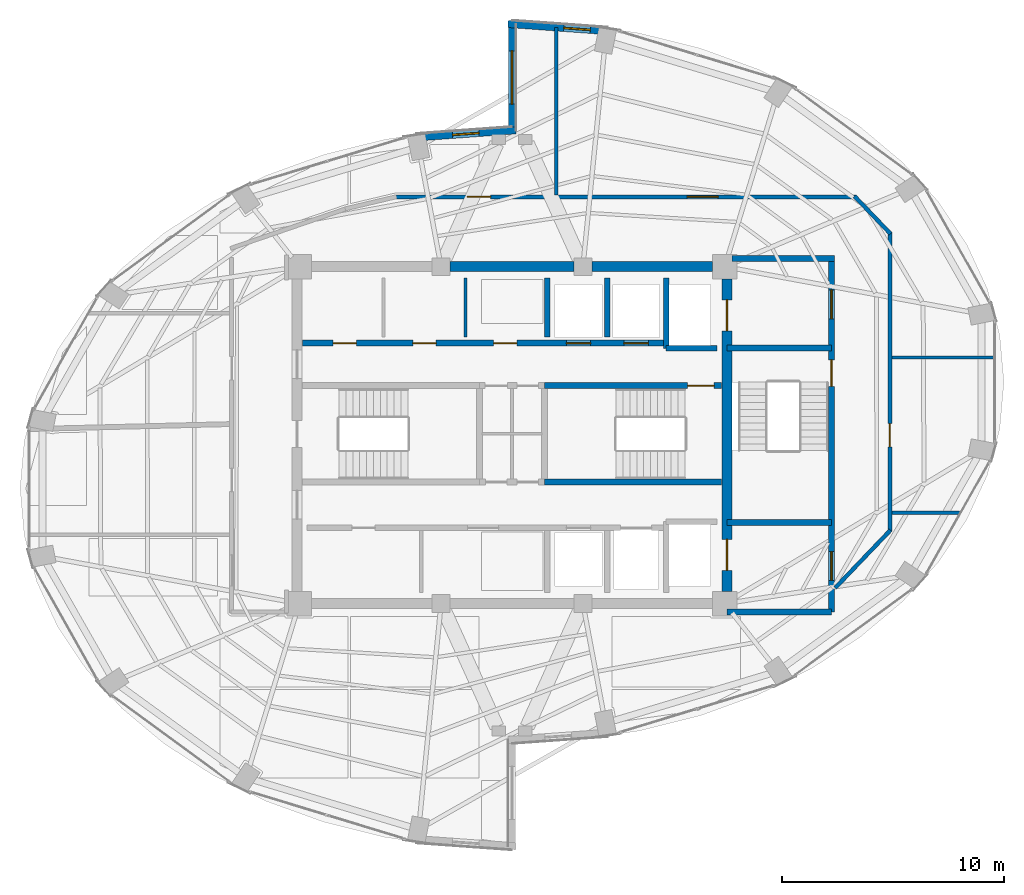
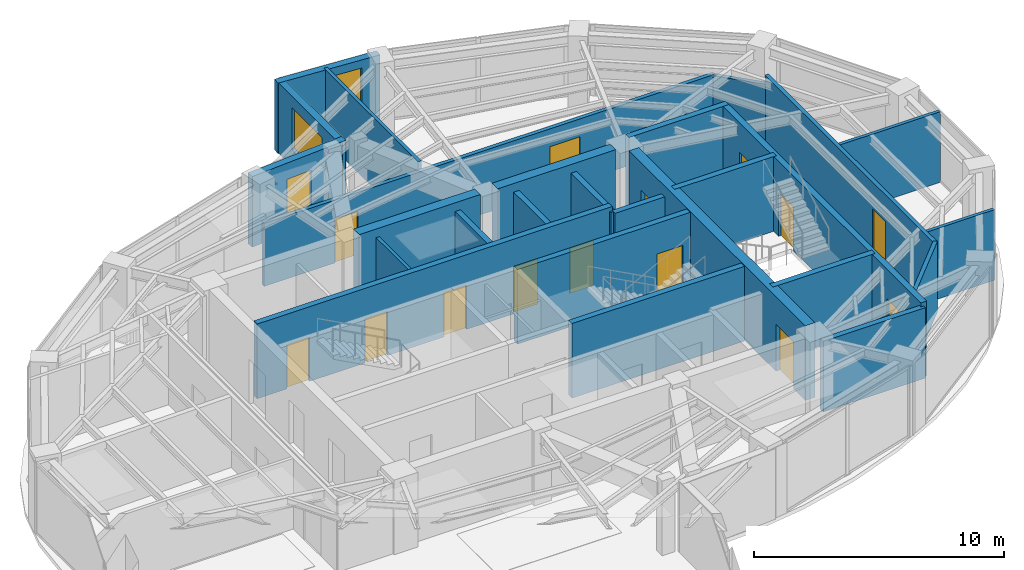
# One storey, part 20 of 23: 26 walls, 14 doors, 3 windows, 17 openings.
"""IFC4 building model written with IfcOpenShell, lengths in metres."""

from ifc_helpers import new_model, si_unit, direction, frame, frame_2d, origin, place, context, subcontext, project, spatial, rectangle, extrude, material, layer, layer_set, type_object, element, fill, save


model = new_model("IFC4")

# Units and contexts
model_context = context("Model", 3, precision=1e-05, world=origin(), true_north=direction((0.0, 1.0)))
body_context = subcontext(model_context, "Body", "Model", "MODEL_VIEW")
ifc_project = project(units=[si_unit("LENGTHUNIT", "METRE"), si_unit("AREAUNIT", "SQUARE_METRE"), si_unit("VOLUMEUNIT", "CUBIC_METRE"), si_unit("PLANEANGLEUNIT", "RADIAN"), si_unit("MASSUNIT", "GRAM", prefix="KILO")], contexts=[model_context])

# Site, building, storey
site_placement = place(None, origin())
site = spatial("IfcSite", under=ifc_project, at=site_placement, CompositionType="ELEMENT")
building_placement = place(site_placement, origin())
building = spatial("IfcBuilding", under=site, at=building_placement, Name="Lazwardi Medical Tower", CompositionType="ELEMENT")
storey_placement = place(building_placement, frame((0.0, 0.0, 231.31201171875)))
storey = spatial("IfcBuildingStorey", under=building, at=storey_placement, Name="L60", CompositionType="ELEMENT", Elevation=231.31201171875)

# Wall, openings, doors
ifc_material_1 = material(Name="Fire-rated gypsum board on steel stud", Category="steel")
ifc_layer_1 = layer(ifc_material_1, 0.179931640625)
ifc_layer_set_1 = layer_set([ifc_layer_1], Name="Fire-rated gypsum board on steel stud")
wall_type_1 = type_object("IfcWallType", Name="WL-COR-180", PredefinedType="PARTITIONING", material=ifc_layer_set_1)
wall_1_placement = place(storey_placement, frame((30.709716796875, 38.75, 0.0), z_axis=(0.0, 0.0, 1.0), x_axis=(1.0, 0.0, 0.0)))
wall_1 = element("IfcWall", 1, at=wall_1_placement, inside=storey, type_object=wall_type_1, Name="L60 Corridor partition 3", PredefinedType="PARTITIONING", context=body_context, shape_type="SweptSolid", body=[
    extrude(rectangle(XDim=20.8154296875, YDim=0.179931640625, at=frame_2d((10.40771484375, 0.0))), origin(), (0.0, 0.0, 1.0), 3.072998046875),
])
opening_1_placement = place(wall_1_placement, frame((13.19384765625, 0.0, 0.0)))
opening_1 = element("IfcOpeningElement", 2, at=opening_1_placement, cuts=wall_1, Name="Opening D-L60-017", PredefinedType="OPENING", context=body_context, shape_type="SweptSolid", body=[
    extrude(rectangle(XDim=1.39990234375, YDim=2.199951171875, at=frame_2d((0.699951171875, 1.10009765625))), frame((0.0, 0.099853515625, 0.0), z_axis=(0.0, -1.0, 0.0), x_axis=(1.0, 0.0, 0.0)), (0.0, 0.0, 1.0), 0.199951171875),
])
opening_2_placement = place(wall_1_placement, frame((3.279052734375, 0.0, 0.0)))
opening_2 = element("IfcOpeningElement", 3, at=opening_2_placement, cuts=wall_1, Name="Opening D-L60-018", PredefinedType="OPENING", context=body_context, shape_type="SweptSolid", body=[
    extrude(rectangle(XDim=1.050048828125, YDim=2.14990234375, at=frame_2d((0.52490234375, 1.074951171875))), frame((0.0, 0.099853515625, 0.0), z_axis=(0.0, -1.0, 0.0), x_axis=(1.0, 0.0, 0.0)), (0.0, 0.0, 1.0), 0.199951171875),
])
ifc_material_2 = material(Name="Anti-microbial laminate hospital leaf")
door_type_1 = type_object("IfcDoorType", Name="DR-BED-1400", OperationType="NOTDEFINED", PredefinedType="DOOR", material=ifc_material_2)
door_1_placement = place(opening_1_placement, origin())
door_1 = element("IfcDoor", 4, at=door_1_placement, inside=storey, type_object=door_type_1, Name="L60 Patient Day Lounge Door 04", OperationType="SINGLE_SWING_LEFT", OverallHeight=2.199951171875, OverallWidth=1.39990234375, PredefinedType="DOOR", context=body_context, shape_type="SweptSolid", body=[
    extrude(rectangle(XDim=1.39990234375, YDim=2.199951171875, at=frame_2d((0.699951171875, 1.10009765625))), frame((0.0, 0.02490234375, 0.0), z_axis=(0.0, -1.0, 0.0), x_axis=(1.0, 0.0, 0.0)), (0.0, 0.0, 1.0), 0.050048828125),
])
fill(opening_1, door_1)
door_type_2 = type_object("IfcDoorType", Name="DR-CLN-1050", OperationType="NOTDEFINED", PredefinedType="DOOR", material=ifc_material_2)
door_2_placement = place(opening_2_placement, origin())
door_2 = element("IfcDoor", 5, at=door_2_placement, inside=storey, type_object=door_type_2, Name="L60 Clinical Specialist Office Door 05", OperationType="SINGLE_SWING_RIGHT", OverallHeight=2.14990234375, OverallWidth=1.050048828125, PredefinedType="DOOR", context=body_context, shape_type="SweptSolid", body=[
    extrude(rectangle(XDim=1.050048828125, YDim=2.14990234375, at=frame_2d((0.52490234375, 1.074951171875))), frame((0.0, 0.02490234375, 0.0), z_axis=(0.0, -1.0, 0.0), x_axis=(1.0, 0.0, 0.0)), (0.0, 0.0, 1.0), 0.050048828125),
])
fill(opening_2, door_2)

# Wall
wall_2_placement = place(storey_placement, frame((51.45751953125, 38.77880859375, 0.0), z_axis=(0.0, 0.0, 1.0), x_axis=(0.691359830363, -0.722510612352, 0.0)))
element("IfcWall", 6, at=wall_2_placement, inside=storey, type_object=wall_type_1, Name="L60 Corridor partition 4", PredefinedType="PARTITIONING", context=body_context, shape_type="SweptSolid", body=[
    extrude(rectangle(XDim=2.34326171875, YDim=0.179931640625, at=frame_2d((1.171630859375, 0.0))), origin(), (0.0, 0.0, 1.0), 3.032958984375),
])

# Wall, opening, door
wall_3_placement = place(storey_placement, frame((53.050048828125, 37.154541015625, 0.0), z_axis=(0.0, 0.0, 1.0), x_axis=(0.0, -1.0, 0.0)))
wall_3 = element("IfcWall", 7, at=wall_3_placement, inside=storey, type_object=wall_type_1, Name="L60 Corridor partition 5", PredefinedType="PARTITIONING", context=body_context, shape_type="SweptSolid", body=[
    extrude(rectangle(XDim=13.509033203125, YDim=0.179931640625, at=frame_2d((6.75439453125, 0.0))), origin(), (0.0, 0.0, 1.0), 3.447998046875),
])
opening_3_placement = place(wall_3_placement, frame((8.62939453125, 0.0, 0.0)))
opening_3 = element("IfcOpeningElement", 8, at=opening_3_placement, cuts=wall_3, Name="Opening D-L60-016", PredefinedType="OPENING", context=body_context, shape_type="SweptSolid", body=[
    extrude(rectangle(XDim=1.050048828125, YDim=2.14990234375, at=frame_2d((0.52490234375, 1.074951171875))), frame((0.0, 0.099853515625, 0.0), z_axis=(0.0, -1.0, 0.0), x_axis=(1.0, 0.0, 0.0)), (0.0, 0.0, 1.0), 0.199951171875),
])
door_3_placement = place(opening_3_placement, origin())
door_3 = element("IfcDoor", 9, at=door_3_placement, inside=storey, type_object=door_type_2, Name="L60 Outpatient Clinic Door 03", OperationType="SINGLE_SWING_RIGHT", OverallHeight=2.14990234375, OverallWidth=1.050048828125, PredefinedType="DOOR", context=body_context, shape_type="SweptSolid", body=[
    extrude(rectangle(XDim=1.050048828125, YDim=2.14990234375, at=frame_2d((0.52490234375, 1.074951171875))), frame((0.0, 0.02490234375, 0.0), z_axis=(0.0, -1.0, 0.0), x_axis=(1.0, 0.0, 0.0)), (0.0, 0.0, 1.0), 0.050048828125),
])
fill(opening_3, door_3)

# Wall
wall_4_placement = place(storey_placement, frame((53.07763671875, 23.71435546875, 0.0), z_axis=(0.0, 0.0, 1.0), x_axis=(-0.691353379446, -0.722516785085, 0.0)))
element("IfcWall", 10, at=wall_4_placement, inside=storey, type_object=wall_type_1, Name="L60 Corridor partition 6", PredefinedType="PARTITIONING", context=body_context, shape_type="SweptSolid", body=[
    extrude(rectangle(XDim=3.603759765625, YDim=0.179931640625, at=frame_2d((1.8017578125, 0.0))), origin(), (0.0, 0.0, 1.0), 3.447998046875),
])

# Wall, openings, doors
ifc_material_3 = material(Name="Concrete C60/75", Category="concrete")
ifc_layer_2 = layer(ifc_material_3, 0.449951171875)
ifc_layer_set_2 = layer_set([ifc_layer_2], Name="Concrete C60/75")
wall_type_2 = type_object("IfcWallType", Name="WL-CORE-450", PredefinedType="SHEAR", material=ifc_layer_set_2)
wall_5_placement = place(storey_placement, frame((45.699951171875, 20.949951171875, 0.0), z_axis=(0.0, 0.0, 1.0), x_axis=(0.0, 1.0, 0.0)))
wall_5 = element("IfcWall", 11, at=wall_5_placement, inside=storey, type_object=wall_type_2, Name="Core wall CW-S4 east L60", PredefinedType="SHEAR", context=body_context, shape_type="SweptSolid", body=[
    extrude(rectangle(XDim=14.10009765625, YDim=0.449951171875, at=frame_2d((7.050048828125, 0.0))), origin(), (0.0, 0.0, 1.0), 3.64794921875),
])
opening_4_placement = place(wall_5_placement, frame((11.75, 0.0, 0.0)))
opening_4 = element("IfcOpeningElement", 12, at=opening_4_placement, cuts=wall_5, Name="Opening LD-L60-001", PredefinedType="OPENING", context=body_context, shape_type="SweptSolid", body=[
    extrude(rectangle(XDim=1.39990234375, YDim=2.300048828125, at=frame_2d((0.699951171875, 1.14990234375))), frame((0.0, 0.23486328125, 0.0), z_axis=(0.0, -1.0, 0.0), x_axis=(1.0, 0.0, 0.0)), (0.0, 0.0, 1.0), 0.469970703125),
])
opening_5_placement = place(wall_5_placement, frame((0.949951171875, 0.0, 0.0)))
opening_5 = element("IfcOpeningElement", 13, at=opening_5_placement, cuts=wall_5, Name="Opening LD-L60-002", PredefinedType="OPENING", context=body_context, shape_type="SweptSolid", body=[
    extrude(rectangle(XDim=1.39990234375, YDim=2.300048828125, at=frame_2d((0.699951171875, 1.14990234375))), frame((0.0, 0.23486328125, 0.0), z_axis=(0.0, -1.0, 0.0), x_axis=(1.0, 0.0, 0.0)), (0.0, 0.0, 1.0), 0.469970703125),
])
ifc_material_4 = material(Name="Brushed stainless steel bed-lift landing door", Category="steel")
door_type_3 = type_object("IfcDoorType", Name="DR-LFT-1400", OperationType="NOTDEFINED", PredefinedType="DOOR", material=ifc_material_4)
door_4_placement = place(opening_4_placement, origin())
door_4 = element("IfcDoor", 14, at=door_4_placement, inside=storey, type_object=door_type_3, Name="L60 Lift Landing Door FL-01", OperationType="SLIDING_TO_LEFT", OverallHeight=2.300048828125, OverallWidth=1.39990234375, PredefinedType="DOOR", context=body_context, shape_type="SweptSolid", body=[
    extrude(rectangle(XDim=1.39990234375, YDim=2.300048828125, at=frame_2d((0.699951171875, 1.14990234375))), frame((0.0, 0.02490234375, 0.0), z_axis=(0.0, -1.0, 0.0), x_axis=(1.0, 0.0, 0.0)), (0.0, 0.0, 1.0), 0.050048828125),
])
fill(opening_4, door_4)
door_5_placement = place(opening_5_placement, origin())
door_5 = element("IfcDoor", 15, at=door_5_placement, inside=storey, type_object=door_type_3, Name="L60 Lift Landing Door FL-02", OperationType="SLIDING_TO_LEFT", OverallHeight=2.300048828125, OverallWidth=1.39990234375, PredefinedType="DOOR", context=body_context, shape_type="SweptSolid", body=[
    extrude(rectangle(XDim=1.39990234375, YDim=2.300048828125, at=frame_2d((0.699951171875, 1.14990234375))), frame((0.0, 0.02490234375, 0.0), z_axis=(0.0, -1.0, 0.0), x_axis=(1.0, 0.0, 0.0)), (0.0, 0.0, 1.0), 0.050048828125),
])
fill(opening_5, door_5)

# Walls
wall_6_placement = place(storey_placement, frame((33.199951171875, 35.60009765625, 0.0), z_axis=(0.0, 0.0, 1.0), x_axis=(1.0, 0.0, 0.0)))
element("IfcWall", 16, at=wall_6_placement, inside=storey, type_object=wall_type_2, Name="Core wall CW-S4 N2 L60", PredefinedType="SHEAR", context=body_context, shape_type="SweptSolid", body=[
    extrude(rectangle(XDim=5.60009765625, YDim=0.449951171875, at=frame_2d((2.800048828125, 0.0))), origin(), (0.0, 0.0, 1.0), 3.64794921875),
])
wall_7_placement = place(storey_placement, frame((39.60009765625, 35.60009765625, 0.0), z_axis=(0.0, 0.0, 1.0), x_axis=(1.0, 0.0, 0.0)))
element("IfcWall", 17, at=wall_7_placement, inside=storey, type_object=wall_type_2, Name="Core wall CW-S4 N3 L60", PredefinedType="SHEAR", context=body_context, shape_type="SweptSolid", body=[
    extrude(rectangle(XDim=5.449951171875, YDim=0.449951171875, at=frame_2d((2.72509765625, 0.0))), origin(), (0.0, 0.0, 1.0), 3.64794921875),
])

# Wall, opening, window
ifc_material_5 = material(Name="Precast concrete C45/55", Category="concrete")
ifc_layer_3 = layer(ifc_material_5, 0.320068359375)
ifc_layer_set_3 = layer_set([ifc_layer_3], Name="Precast concrete C45/55")
wall_type_3 = type_object("IfcWallType", Name="WL-IWAN-320", PredefinedType="SOLIDWALL", material=ifc_layer_set_3)
wall_8_placement = place(storey_placement, frame((40.349609375, 46.226318359375, 0.0), z_axis=(0.0, 0.0, 1.0), x_axis=(-0.997409061056, 0.071938619141, 0.0)))
wall_8 = element("IfcWall", 18, at=wall_8_placement, inside=storey, type_object=wall_type_3, Name="L60 Iwan Portal Return Wall NE_ret", PredefinedType="SOLIDWALL", context=body_context, shape_type="SweptSolid", body=[
    extrude(rectangle(XDim=4.540771484375, YDim=0.320068359375, at=frame_2d((2.2705078125, 0.0))), origin(), (0.0, 0.0, 1.0), 3.447998046875),
])
opening_6_placement = place(wall_8_placement, frame((0.814697265625, 0.0, 0.85009765625)))
opening_6 = element("IfcOpeningElement", 19, at=opening_6_placement, cuts=wall_8, Name="Opening WN-01", PredefinedType="OPENING", context=body_context, shape_type="SweptSolid", body=[
    extrude(rectangle(XDim=1.199951171875, YDim=2.199951171875, at=frame_2d((0.60009765625, 1.10009765625))), frame((0.0, 0.169921875, 0.0), z_axis=(0.0, -1.0, 0.0), x_axis=(1.0, 0.0, 0.0)), (0.0, 0.0, 1.0), 0.340087890625),
])
ifc_material_6 = material(Name="Low-e bronze solar control double glazing", Category="glass")
window_type_1 = type_object("IfcWindowType", Name="WIN-IW-1200", PartitioningType="SINGLE_PANEL", PredefinedType="WINDOW", material=ifc_material_6)
window_1_placement = place(opening_6_placement, origin())
window_1 = element("IfcWindow", 20, at=window_1_placement, inside=storey, type_object=window_type_1, Name="L60 Iwan Slot Window NE_ret", OverallHeight=2.199951171875, OverallWidth=1.199951171875, PartitioningType="SINGLE_PANEL", PredefinedType="WINDOW", context=body_context, shape_type="SweptSolid", body=[
    extrude(rectangle(XDim=1.199951171875, YDim=2.199951171875, at=frame_2d((0.60009765625, 1.10009765625))), frame((0.0, 0.030029296875, 0.0), z_axis=(0.0, -1.0, 0.0), x_axis=(1.0, 0.0, 0.0)), (0.0, 0.0, 1.0), 0.06005859375),
])
fill(opening_6, window_1)

wall_9_placement = place(storey_placement, frame((36.17919921875, 41.7529296875, 0.0), z_axis=(0.0, 0.0, 1.0), x_axis=(-0.997408782787, -0.071942477163, 0.0)))
wall_9 = element("IfcWall", 21, at=wall_9_placement, inside=storey, type_object=wall_type_3, Name="L60 Iwan Portal Return Wall NW_ret", PredefinedType="SOLIDWALL", context=body_context, shape_type="SweptSolid", body=[
    extrude(rectangle(XDim=4.54052734375, YDim=0.320068359375, at=frame_2d((2.270263671875, 0.0))), origin(), (0.0, 0.0, 1.0), 3.447998046875),
])
opening_7_placement = place(wall_9_placement, frame((1.67041015625, 0.0, 0.85009765625)))
opening_7 = element("IfcOpeningElement", 22, at=opening_7_placement, cuts=wall_9, Name="Opening WN-04", PredefinedType="OPENING", context=body_context, shape_type="SweptSolid", body=[
    extrude(rectangle(XDim=1.199951171875, YDim=1.800048828125, at=frame_2d((0.60009765625, 0.89990234375))), frame((0.0, 0.169921875, 0.0), z_axis=(0.0, -1.0, 0.0), x_axis=(1.0, 0.0, 0.0)), (0.0, 0.0, 1.0), 0.340087890625),
])
window_type_2 = type_object("IfcWindowType", Name="WIN-DRUM-1200", PartitioningType="SINGLE_PANEL", PredefinedType="WINDOW", material=ifc_material_6)
window_2_placement = place(opening_7_placement, origin())
window_2 = element("IfcWindow", 23, at=window_2_placement, inside=storey, type_object=window_type_2, Name="L60 Iwan Slot Window NW_ret", OverallHeight=1.800048828125, OverallWidth=1.199951171875, PartitioningType="SINGLE_PANEL", PredefinedType="WINDOW", context=body_context, shape_type="SweptSolid", body=[
    extrude(rectangle(XDim=1.199951171875, YDim=1.800048828125, at=frame_2d((0.60009765625, 0.89990234375))), frame((0.0, 0.030029296875, 0.0), z_axis=(0.0, -1.0, 0.0), x_axis=(1.0, 0.0, 0.0)), (0.0, 0.0, 1.0), 0.06005859375),
])
fill(opening_7, window_2)

wall_10_placement = place(storey_placement, frame((36.0, 46.699951171875, 0.0), z_axis=(0.0, 0.0, 1.0), x_axis=(0.0, -1.0, 0.0)))
wall_10 = element("IfcWall", 24, at=wall_10_placement, inside=storey, type_object=wall_type_3, Name="L60 Turquoise Tilework Iwan Seam Wall N_seam", PredefinedType="SOLIDWALL", context=body_context, shape_type="SweptSolid", body=[
    extrude(rectangle(XDim=5.119873046875, YDim=0.320068359375, at=frame_2d((2.56005859375, 0.0))), origin(), (0.0, 0.0, 1.0), 3.447998046875),
])
opening_8_placement = place(wall_10_placement, frame((1.360107421875, 0.0, 0.840087890625)))
opening_8 = element("IfcOpeningElement", 25, at=opening_8_placement, cuts=wall_10, Name="Opening WN-02", PredefinedType="OPENING", context=body_context, shape_type="SweptSolid", body=[
    extrude(rectangle(XDim=2.39990234375, YDim=2.0400390625, at=frame_2d((1.199951171875, 1.02001953125))), frame((0.0, 0.169921875, 0.0), z_axis=(0.0, -1.0, 0.0), x_axis=(1.0, 0.0, 0.0)), (0.0, 0.0, 1.0), 0.340087890625),
])
window_type_3 = type_object("IfcWindowType", Name="WIN-IW-2400", PartitioningType="SINGLE_PANEL", PredefinedType="WINDOW", material=ifc_material_6)
window_3_placement = place(opening_8_placement, origin())
window_3 = element("IfcWindow", 26, at=window_3_placement, inside=storey, type_object=window_type_3, Name="L60 Iwan Seam Window N_seam", OverallHeight=2.0400390625, OverallWidth=2.39990234375, PartitioningType="SINGLE_PANEL", PredefinedType="WINDOW", context=body_context, shape_type="SweptSolid", body=[
    extrude(rectangle(XDim=2.39990234375, YDim=2.0400390625, at=frame_2d((1.199951171875, 1.02001953125))), frame((0.0, 0.030029296875, 0.0), z_axis=(0.0, -1.0, 0.0), x_axis=(1.0, 0.0, 0.0)), (0.0, 0.0, 1.0), 0.06005859375),
])
fill(opening_8, window_3)

# Walls
ifc_material_7 = material(Name="Autoclaved aerated concrete blockwork", Category="masonry")
ifc_layer_4 = layer(ifc_material_7, 0.25)
ifc_layer_set_4 = layer_set([ifc_layer_4], Name="Autoclaved aerated concrete blockwork")
wall_type_4 = type_object("IfcWallType", Name="WL-SHAFT-250", PredefinedType="SOLIDWALL", material=ifc_layer_set_4)
wall_11_placement = place(storey_placement, frame((42.949951171875, 31.919921875, 0.0), z_axis=(0.0, 0.0, 1.0), x_axis=(0.0, 1.0, 0.0)))
element("IfcWall", 27, at=wall_11_placement, inside=storey, type_object=wall_type_4, Name="L60 FL-01 West shaft wall", PredefinedType="SOLIDWALL", context=body_context, shape_type="SweptSolid", body=[
    extrude(rectangle(XDim=3.18017578125, YDim=0.25, at=frame_2d((1.590087890625, 0.0))), origin(), (0.0, 0.0, 1.0), 3.447998046875),
])
wall_12_placement = place(storey_placement, frame((42.949951171875, 31.919921875, 0.0), z_axis=(0.0, 0.0, 1.0), x_axis=(1.0, 0.0, 0.0)))
element("IfcWall", 28, at=wall_12_placement, inside=storey, type_object=wall_type_4, Name="L60 FL-01 South shaft wall", PredefinedType="SOLIDWALL", context=body_context, shape_type="SweptSolid", body=[
    extrude(rectangle(XDim=2.300048828125, YDim=0.25, at=frame_2d((1.14990234375, 0.0))), origin(), (0.0, 0.0, 1.0), 3.447998046875),
])
for number, where, z_axis, x_axis, name in (
    (29, (37.60009765625, 32.419921875, 0.0), (0.0, 0.0, 1.0), (0.0, 1.0, 0.0), "L60 North hoistway divider"),
    (30, (40.300048828125, 32.419921875, 0.0), (0.0, 0.0, 1.0), (0.0, 1.0, 0.0), "L60 North hoistway divider"),
):
    element("IfcWall", number, at=place(storey_placement, frame(where, z_axis=z_axis, x_axis=x_axis)), inside=storey, type_object=wall_type_4, Name=name, PredefinedType="SOLIDWALL", context=body_context, shape_type="SweptSolid", body=[
        extrude(rectangle(XDim=2.68017578125, YDim=0.25, at=frame_2d((1.340087890625, 0.0))), origin(), (0.0, 0.0, 1.0), 3.447998046875),
    ])
wall_13_placement = place(storey_placement, frame((45.699951171875, 20.02001953125, 0.0), z_axis=(0.0, 0.0, 1.0), x_axis=(1.0, 0.0, 0.0)))
element("IfcWall", 31, at=wall_13_placement, inside=storey, type_object=wall_type_4, Name="L60 FFL-S South wall", PredefinedType="SOLIDWALL", context=body_context, shape_type="SweptSolid", body=[
    extrude(rectangle(XDim=4.715087890625, YDim=0.25, at=frame_2d((2.357421875, 0.0))), origin(), (0.0, 0.0, 1.0), 3.447998046875),
])

# Wall, opening, door
ifc_material_8 = material(Name="Concrete C50/60", Category="concrete")
ifc_layer_5 = layer(ifc_material_8, 0.27001953125)
ifc_layer_set_5 = layer_set([ifc_layer_5], Name="Concrete C50/60")
wall_type_5 = type_object("IfcWallType", Name="WL-STR-250", PredefinedType="SHEAR", material=ifc_layer_set_5)
wall_14_placement = place(storey_placement, frame((37.465087890625, 30.235107421875, 0.0), z_axis=(0.0, 0.0, 1.0), x_axis=(1.0, 0.0, 0.0)))
wall_14 = element("IfcWall", 32, at=wall_14_placement, inside=storey, type_object=wall_type_5, Name="L60 ST2 North shear shaft wall SW-S1", PredefinedType="SHEAR", context=body_context, shape_type="SweptSolid", body=[
    extrude(rectangle(XDim=7.98486328125, YDim=0.27001953125, at=frame_2d((3.992431640625, 0.0))), origin(), (0.0, 0.0, 1.0), 3.64794921875),
])
opening_9_placement = place(wall_14_placement, frame((6.455078125, 0.0, 0.0)))
opening_9 = element("IfcOpeningElement", 33, at=opening_9_placement, cuts=wall_14, Name="Opening D-L60-021", PredefinedType="OPENING", context=body_context, shape_type="SweptSolid", body=[
    extrude(rectangle(XDim=1.199951171875, YDim=2.14990234375, at=frame_2d((0.60009765625, 1.074951171875))), frame((0.0, 0.14501953125, 0.0), z_axis=(0.0, -1.0, 0.0), x_axis=(1.0, 0.0, 0.0)), (0.0, 0.0, 1.0), 0.2900390625),
])
ifc_material_9 = material(Name="Fire-rated steel leaf and frame", Category="steel")
door_type_4 = type_object("IfcDoorType", Name="DR-STR-1200", OperationType="NOTDEFINED", PredefinedType="DOOR", material=ifc_material_9)
door_6_placement = place(opening_9_placement, origin())
door_6 = element("IfcDoor", 34, at=door_6_placement, inside=storey, type_object=door_type_4, Name="L60 Exit Stair ST2 Door", OperationType="SINGLE_SWING_LEFT", OverallHeight=2.14990234375, OverallWidth=1.199951171875, PredefinedType="DOOR", context=body_context, shape_type="SweptSolid", body=[
    extrude(rectangle(XDim=1.199951171875, YDim=2.14990234375, at=frame_2d((0.60009765625, 1.074951171875))), frame((0.0, 0.02490234375, 0.0), z_axis=(0.0, -1.0, 0.0), x_axis=(1.0, 0.0, 0.0)), (0.0, 0.0, 1.0), 0.050048828125),
])
fill(opening_9, door_6)

# Wall
wall_15_placement = place(storey_placement, frame((37.465087890625, 25.885009765625, 0.0), z_axis=(0.0, 0.0, 1.0), x_axis=(1.0, 0.0, 0.0)))
element("IfcWall", 35, at=wall_15_placement, inside=storey, type_object=wall_type_5, Name="L60 ST2 South shear shaft wall SW-S1", PredefinedType="SHEAR", context=body_context, shape_type="SweptSolid", body=[
    extrude(rectangle(XDim=7.98486328125, YDim=0.27001953125, at=frame_2d((3.992431640625, 0.0))), origin(), (0.0, 0.0, 1.0), 3.64794921875),
])

# Wall, openings, doors
wall_16_placement = place(storey_placement, frame((26.550048828125, 32.14990234375, 0.0), z_axis=(0.0, 0.0, 1.0), x_axis=(1.0, 0.0, 0.0)))
wall_16 = element("IfcWall", 36, at=wall_16_placement, inside=storey, type_object=wall_type_5, Name="L60 North lift bank shear wall SW-S1", PredefinedType="SHEAR", context=body_context, shape_type="SweptSolid", body=[
    extrude(rectangle(XDim=16.39990234375, YDim=0.27001953125, at=frame_2d((8.199951171875, 0.0))), origin(), (0.0, 0.0, 1.0), 3.64794921875),
])
opening_10_placement = place(wall_16_placement, frame((1.375, 0.0, 0.0)))
opening_10 = element("IfcOpeningElement", 37, at=opening_10_placement, cuts=wall_16, Name="Opening D-L60-005", PredefinedType="OPENING", context=body_context, shape_type="SweptSolid", body=[
    extrude(rectangle(XDim=1.050048828125, YDim=2.14990234375, at=frame_2d((0.52490234375, 1.074951171875))), frame((0.0, 0.14501953125, 0.0), z_axis=(0.0, -1.0, 0.0), x_axis=(1.0, 0.0, 0.0)), (0.0, 0.0, 1.0), 0.2900390625),
])
opening_11_placement = place(wall_16_placement, frame((4.97509765625, 0.0, 0.0)))
opening_11 = element("IfcOpeningElement", 38, at=opening_11_placement, cuts=wall_16, Name="Opening D-L60-006", PredefinedType="OPENING", context=body_context, shape_type="SweptSolid", body=[
    extrude(rectangle(XDim=1.050048828125, YDim=2.14990234375, at=frame_2d((0.52490234375, 1.074951171875))), frame((0.0, 0.14501953125, 0.0), z_axis=(0.0, -1.0, 0.0), x_axis=(1.0, 0.0, 0.0)), (0.0, 0.0, 1.0), 0.2900390625),
])
opening_12_placement = place(wall_16_placement, frame((8.625, 0.0, 0.0)))
opening_12 = element("IfcOpeningElement", 39, at=opening_12_placement, cuts=wall_16, Name="Opening D-L60-007", PredefinedType="OPENING", context=body_context, shape_type="SweptSolid", body=[
    extrude(rectangle(XDim=1.050048828125, YDim=2.14990234375, at=frame_2d((0.52490234375, 1.074951171875))), frame((0.0, 0.14501953125, 0.0), z_axis=(0.0, -1.0, 0.0), x_axis=(1.0, 0.0, 0.0)), (0.0, 0.0, 1.0), 0.2900390625),
])
opening_13_placement = place(wall_16_placement, frame((11.89990234375, 0.0, 0.0)))
opening_13 = element("IfcOpeningElement", 40, at=opening_13_placement, cuts=wall_16, Name="Opening LD-L60-004", PredefinedType="OPENING", context=body_context, shape_type="SweptSolid", body=[
    extrude(rectangle(XDim=1.10009765625, YDim=2.199951171875, at=frame_2d((0.550048828125, 1.10009765625))), frame((0.0, 0.14501953125, 0.0), z_axis=(0.0, -1.0, 0.0), x_axis=(1.0, 0.0, 0.0)), (0.0, 0.0, 1.0), 0.2900390625),
])
opening_14_placement = place(wall_16_placement, frame((14.5, 0.0, 0.0)))
opening_14 = element("IfcOpeningElement", 41, at=opening_14_placement, cuts=wall_16, Name="Opening LD-L60-005", PredefinedType="OPENING", context=body_context, shape_type="SweptSolid", body=[
    extrude(rectangle(XDim=1.10009765625, YDim=2.199951171875, at=frame_2d((0.550048828125, 1.10009765625))), frame((0.0, 0.14501953125, 0.0), z_axis=(0.0, -1.0, 0.0), x_axis=(1.0, 0.0, 0.0)), (0.0, 0.0, 1.0), 0.2900390625),
])
door_7_placement = place(opening_10_placement, origin())
door_7 = element("IfcDoor", 42, at=door_7_placement, inside=storey, type_object=door_type_2, Name="L60 Pantry Door", OperationType="SINGLE_SWING_RIGHT", OverallHeight=2.14990234375, OverallWidth=1.050048828125, PredefinedType="DOOR", context=body_context, shape_type="SweptSolid", body=[
    extrude(rectangle(XDim=1.050048828125, YDim=2.14990234375, at=frame_2d((0.52490234375, 1.074951171875))), frame((0.0, 0.02490234375, 0.0), z_axis=(0.0, -1.0, 0.0), x_axis=(1.0, 0.0, 0.0)), (0.0, 0.0, 1.0), 0.050048828125),
])
fill(opening_10, door_7)
door_8_placement = place(opening_11_placement, origin())
door_8 = element("IfcDoor", 43, at=door_8_placement, inside=storey, type_object=door_type_2, Name="L60 Pharmacy Door", OperationType="SINGLE_SWING_LEFT", OverallHeight=2.14990234375, OverallWidth=1.050048828125, PredefinedType="DOOR", context=body_context, shape_type="SweptSolid", body=[
    extrude(rectangle(XDim=1.050048828125, YDim=2.14990234375, at=frame_2d((0.52490234375, 1.074951171875))), frame((0.0, 0.02490234375, 0.0), z_axis=(0.0, -1.0, 0.0), x_axis=(1.0, 0.0, 0.0)), (0.0, 0.0, 1.0), 0.050048828125),
])
fill(opening_11, door_8)
door_9_placement = place(opening_12_placement, origin())
door_9 = element("IfcDoor", 44, at=door_9_placement, inside=storey, type_object=door_type_2, Name="L60 Consult Door", OperationType="SINGLE_SWING_RIGHT", OverallHeight=2.14990234375, OverallWidth=1.050048828125, PredefinedType="DOOR", context=body_context, shape_type="SweptSolid", body=[
    extrude(rectangle(XDim=1.050048828125, YDim=2.14990234375, at=frame_2d((0.52490234375, 1.074951171875))), frame((0.0, 0.02490234375, 0.0), z_axis=(0.0, -1.0, 0.0), x_axis=(1.0, 0.0, 0.0)), (0.0, 0.0, 1.0), 0.050048828125),
])
fill(opening_12, door_9)
ifc_material_10 = material(Name="Brushed bronze stainless steel landing door", Category="steel")
door_type_5 = type_object("IfcDoorType", Name="DR-LFT-1100", OperationType="NOTDEFINED", PredefinedType="DOOR", material=ifc_material_10)
door_10_placement = place(opening_13_placement, origin())
door_10 = element("IfcDoor", 45, at=door_10_placement, inside=storey, type_object=door_type_5, Name="L60 Lift Landing Door PL-09", OperationType="SLIDING_TO_LEFT", OverallHeight=2.199951171875, OverallWidth=1.10009765625, PredefinedType="DOOR", context=body_context, shape_type="SweptSolid", body=[
    extrude(rectangle(XDim=1.10009765625, YDim=2.199951171875, at=frame_2d((0.550048828125, 1.10009765625))), frame((0.0, 0.02490234375, 0.0), z_axis=(0.0, -1.0, 0.0), x_axis=(1.0, 0.0, 0.0)), (0.0, 0.0, 1.0), 0.050048828125),
])
fill(opening_13, door_10)
door_11_placement = place(opening_14_placement, origin())
door_11 = element("IfcDoor", 46, at=door_11_placement, inside=storey, type_object=door_type_5, Name="L60 Lift Landing Door PL-10", OperationType="SLIDING_TO_LEFT", OverallHeight=2.199951171875, OverallWidth=1.10009765625, PredefinedType="DOOR", context=body_context, shape_type="SweptSolid", body=[
    extrude(rectangle(XDim=1.10009765625, YDim=2.199951171875, at=frame_2d((0.550048828125, 1.10009765625))), frame((0.0, 0.02490234375, 0.0), z_axis=(0.0, -1.0, 0.0), x_axis=(1.0, 0.0, 0.0)), (0.0, 0.0, 1.0), 0.050048828125),
])
fill(opening_14, door_11)

wall_17_placement = place(storey_placement, frame((50.4150390625, 35.844970703125, 0.0), z_axis=(0.0, 0.0, 1.0), x_axis=(0.0, -1.0, 0.0)))
wall_17 = element("IfcWall", 47, at=wall_17_placement, inside=storey, type_object=wall_type_5, Name="L60 East ST3 & FFL shear wall SW-S1", PredefinedType="SHEAR", context=body_context, shape_type="SweptSolid", body=[
    extrude(rectangle(XDim=15.824951171875, YDim=0.27001953125, at=frame_2d((7.91259765625, 0.0))), origin(), (0.0, 0.0, 1.0), 3.64794921875),
])
opening_15_placement = place(wall_17_placement, frame((4.445068359375, 0.0, 0.0)))
opening_15 = element("IfcOpeningElement", 48, at=opening_15_placement, cuts=wall_17, Name="Opening D-L60-022", PredefinedType="OPENING", context=body_context, shape_type="SweptSolid", body=[
    extrude(rectangle(XDim=1.199951171875, YDim=2.14990234375, at=frame_2d((0.60009765625, 1.074951171875))), frame((0.0, 0.14501953125, 0.0), z_axis=(0.0, -1.0, 0.0), x_axis=(1.0, 0.0, 0.0)), (0.0, 0.0, 1.0), 0.2900390625),
])
opening_16_placement = place(wall_17_placement, frame((1.294921875, 0.0, 0.0)))
opening_16 = element("IfcOpeningElement", 49, at=opening_16_placement, cuts=wall_17, Name="Opening D-L60-010", PredefinedType="OPENING", context=body_context, shape_type="SweptSolid", body=[
    extrude(rectangle(XDim=1.300048828125, YDim=2.199951171875, at=frame_2d((0.64990234375, 1.10009765625))), frame((0.0, 0.14501953125, 0.0), z_axis=(0.0, -1.0, 0.0), x_axis=(1.0, 0.0, 0.0)), (0.0, 0.0, 1.0), 0.2900390625),
])
opening_17_placement = place(wall_17_placement, frame((13.094970703125, 0.0, 0.0)))
opening_17 = element("IfcOpeningElement", 50, at=opening_17_placement, cuts=wall_17, Name="Opening D-L60-011", PredefinedType="OPENING", context=body_context, shape_type="SweptSolid", body=[
    extrude(rectangle(XDim=1.300048828125, YDim=2.199951171875, at=frame_2d((0.64990234375, 1.10009765625))), frame((0.0, 0.14501953125, 0.0), z_axis=(0.0, -1.0, 0.0), x_axis=(1.0, 0.0, 0.0)), (0.0, 0.0, 1.0), 0.2900390625),
])
door_type_6 = type_object("IfcDoorType", Name="DR-FFL-1300", OperationType="NOTDEFINED", PredefinedType="DOOR", material=ifc_material_9)
door_12_placement = place(opening_16_placement, origin())
door_12 = element("IfcDoor", 51, at=door_12_placement, inside=storey, type_object=door_type_6, Name="L60 Fire-Fighting Lobby North Door", OperationType="SINGLE_SWING_RIGHT", OverallHeight=2.199951171875, OverallWidth=1.300048828125, PredefinedType="DOOR", context=body_context, shape_type="SweptSolid", body=[
    extrude(rectangle(XDim=1.300048828125, YDim=2.199951171875, at=frame_2d((0.64990234375, 1.10009765625))), frame((0.0, 0.02490234375, 0.0), z_axis=(0.0, -1.0, 0.0), x_axis=(1.0, 0.0, 0.0)), (0.0, 0.0, 1.0), 0.050048828125),
])
fill(opening_16, door_12)
door_13_placement = place(opening_17_placement, origin())
door_13 = element("IfcDoor", 52, at=door_13_placement, inside=storey, type_object=door_type_6, Name="L60 Fire-Fighting Lobby South Door", OperationType="SINGLE_SWING_LEFT", OverallHeight=2.199951171875, OverallWidth=1.300048828125, PredefinedType="DOOR", context=body_context, shape_type="SweptSolid", body=[
    extrude(rectangle(XDim=1.300048828125, YDim=2.199951171875, at=frame_2d((0.64990234375, 1.10009765625))), frame((0.0, 0.02490234375, 0.0), z_axis=(0.0, -1.0, 0.0), x_axis=(1.0, 0.0, 0.0)), (0.0, 0.0, 1.0), 0.050048828125),
])
fill(opening_17, door_13)
door_14_placement = place(opening_15_placement, origin())
door_14 = element("IfcDoor", 53, at=door_14_placement, inside=storey, type_object=door_type_4, Name="L60 Exit Stair ST3 Door", OperationType="SINGLE_SWING_LEFT", OverallHeight=2.14990234375, OverallWidth=1.199951171875, PredefinedType="DOOR", context=body_context, shape_type="SweptSolid", body=[
    extrude(rectangle(XDim=1.199951171875, YDim=2.14990234375, at=frame_2d((0.60009765625, 1.074951171875))), frame((0.0, 0.02490234375, 0.0), z_axis=(0.0, -1.0, 0.0), x_axis=(1.0, 0.0, 0.0)), (0.0, 0.0, 1.0), 0.050048828125),
])
fill(opening_15, door_14)

# Walls
wall_18_placement = place(storey_placement, frame((45.925048828125, 35.97998046875, 0.0), z_axis=(0.0, 0.0, 1.0), x_axis=(1.0, 0.0, 0.0)))
element("IfcWall", 54, at=wall_18_placement, inside=storey, type_object=wall_type_5, Name="L60 FFL-N North shear wall SW-S1", PredefinedType="SHEAR", context=body_context, shape_type="SweptSolid", body=[
    extrude(rectangle(XDim=4.625, YDim=0.27001953125, at=frame_2d((2.3125, 0.0))), origin(), (0.0, 0.0, 1.0), 3.64794921875),
])
for number, where, z_axis, x_axis, name in (
    (55, (45.699951171875, 31.93505859375, 0.0), (0.0, 0.0, 1.0), (1.0, 0.0, 0.0), "L60 ST3 North shear shaft wall SW-S1"),
    (56, (45.699951171875, 24.06494140625, 0.0), (0.0, 0.0, 1.0), (1.0, 0.0, 0.0), "L60 ST3 South shear shaft wall SW-S1"),
):
    element("IfcWall", number, at=place(storey_placement, frame(where, z_axis=z_axis, x_axis=x_axis)), inside=storey, type_object=wall_type_5, Name=name, PredefinedType="SHEAR", context=body_context, shape_type="SweptSolid", body=[
        extrude(rectangle(XDim=4.715087890625, YDim=0.27001953125, at=frame_2d((2.357421875, 0.0))), origin(), (0.0, 0.0, 1.0), 3.64794921875),
    ])
ifc_material_11 = material(Name="Acoustic gypsum board partition")
ifc_layer_6 = layer(ifc_material_11, 0.14990234375)
ifc_layer_set_6 = layer_set([ifc_layer_6], Name="Acoustic gypsum board partition")
wall_type_6 = type_object("IfcWallType", Name="WL-WRD-150", PredefinedType="PARTITIONING", material=ifc_layer_set_6)
wall_19_placement = place(storey_placement, frame((33.89990234375, 32.419921875, 0.0), z_axis=(0.0, 0.0, 1.0), x_axis=(0.0, 1.0, 0.0)))
element("IfcWall", 57, at=wall_19_placement, inside=storey, type_object=wall_type_6, Name="L60 Freed bay2 N split B", PredefinedType="PARTITIONING", context=body_context, shape_type="SweptSolid", body=[
    extrude(rectangle(XDim=2.68017578125, YDim=0.14990234375, at=frame_2d((1.340087890625, 0.0))), origin(), (0.0, 0.0, 1.0), 3.447998046875),
])
wall_20_placement = place(storey_placement, frame((53.139892578125, 24.5, 0.0), z_axis=(0.0, 0.0, 1.0), x_axis=(1.0, 0.0, 0.0)))
element("IfcWall", 58, at=wall_20_placement, inside=storey, type_object=wall_type_6, Name="L60 Room partition 4", PredefinedType="PARTITIONING", context=body_context, shape_type="SweptSolid", body=[
    extrude(rectangle(XDim=3.09521484375, YDim=0.14990234375, at=frame_2d((1.547607421875, 0.0))), origin(), (0.0, 0.0, 1.0), 3.447998046875),
])
wall_21_placement = place(storey_placement, frame((53.139892578125, 31.5, 0.0), z_axis=(0.0, 0.0, 1.0), x_axis=(1.0, 0.0, 0.0)))
element("IfcWall", 59, at=wall_21_placement, inside=storey, type_object=wall_type_6, Name="L60 Room partition 5", PredefinedType="PARTITIONING", context=body_context, shape_type="SweptSolid", body=[
    extrude(rectangle(XDim=4.6318359375, YDim=0.14990234375, at=frame_2d((2.31591796875, 0.0))), origin(), (0.0, 0.0, 1.0), 3.447998046875),
])
wall_22_placement = place(storey_placement, frame((38.0, 38.840087890625, 0.0), z_axis=(0.0, 0.0, 1.0), x_axis=(0.0, 1.0, 0.0)))
element("IfcWall", 60, at=wall_22_placement, inside=storey, type_object=wall_type_6, Name="L60 Room partition 6", PredefinedType="PARTITIONING", context=body_context, shape_type="SweptSolid", body=[
    extrude(rectangle(XDim=7.543212890625, YDim=0.14990234375, at=frame_2d((3.771484375, 0.0))), origin(), (0.0, 0.0, 1.0), 3.447998046875),
])

save(model, "model.ifc")
